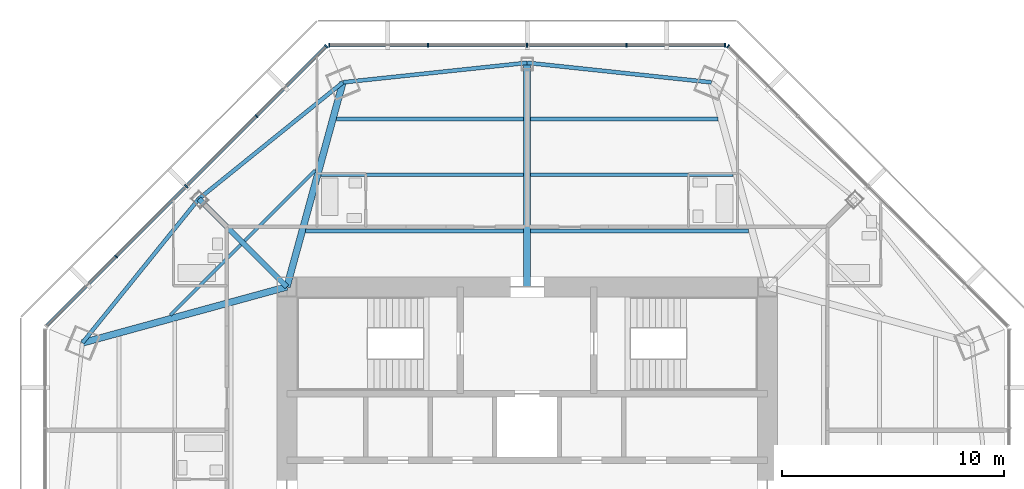
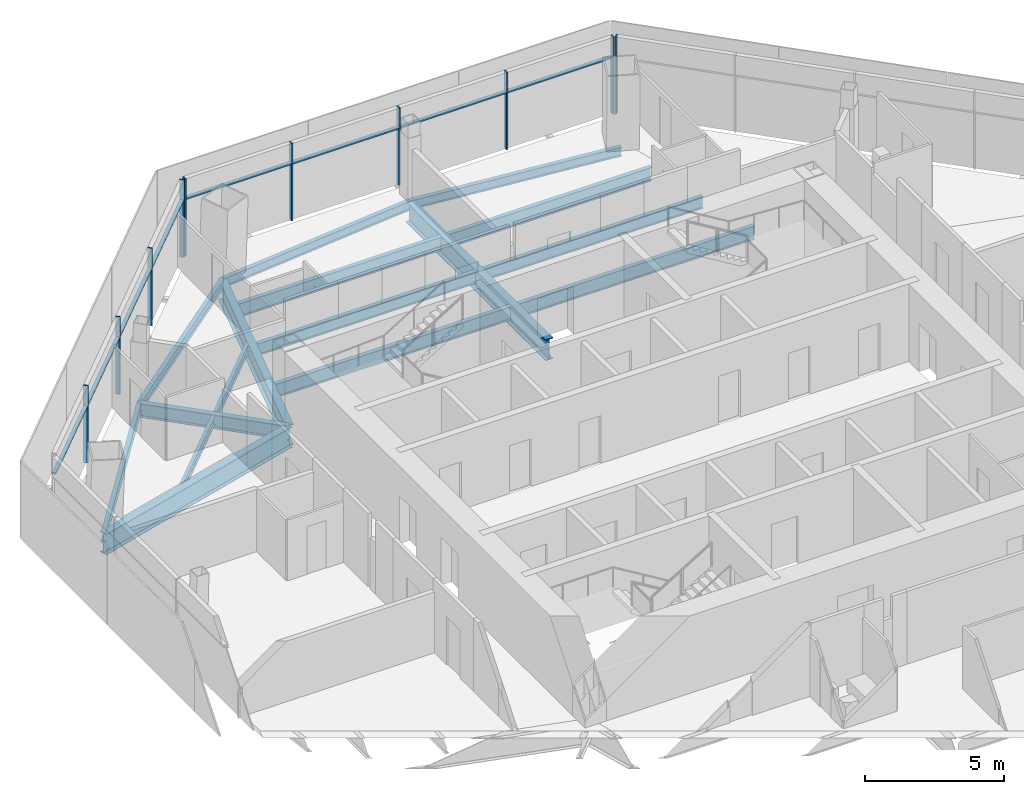
# One storey, part 5 of 15: 18 members, 16 beams, 3 elements without a shape of their own.
"""IFC4 building model written with IfcOpenShell, lengths in metres."""

from ifc_helpers import new_model, si_unit, direction, frame, origin, origin_2d, place, context, subcontext, project, spatial, rectangle, i_section, extrude, source, transform, mapped, material, material_profile, profile_set, type_object, type_shapes, element, aggregate, save


model = new_model("IFC4")

# Units and contexts
model_context = context("Model", 3, precision=1e-05, world=origin(), true_north=direction((0.0, 1.0)))
body_context = subcontext(model_context, "Body", "Model", "MODEL_VIEW")
ifc_project = project(units=[si_unit("LENGTHUNIT", "METRE"), si_unit("AREAUNIT", "SQUARE_METRE"), si_unit("VOLUMEUNIT", "CUBIC_METRE"), si_unit("PLANEANGLEUNIT", "RADIAN"), si_unit("MASSUNIT", "GRAM", prefix="KILO")], contexts=[model_context])

# Site, building, storey
site_placement = place(None, origin())
site = spatial("IfcSite", under=ifc_project, at=site_placement, CompositionType="ELEMENT")
building_placement = place(site_placement, origin())
building = spatial("IfcBuilding", under=site, at=building_placement, Name="Mashrafa Tower", CompositionType="ELEMENT")
storey_placement = place(building_placement, frame((0.0, 0.0, 224.39990234375)))
storey = spatial("IfcBuildingStorey", under=building, at=storey_placement, Name="L52", CompositionType="ELEMENT", Elevation=224.39990234375)

# Beams
ifc_material_1 = material(Name="Steel ASTM A992", Category="steel")
ifc_material_profile_1 = material_profile(ifc_material_1, i_section(OverallWidth=0.140380859375, OverallDepth=0.40380859375, WebThickness=0.007080078125, FlangeThickness=0.01123046875, FilletRadius=0.01025390625, at=origin_2d()), Name="W16X31")
ifc_profile_set_1 = profile_set([ifc_material_profile_1], Name="Steel ASTM A992")
beam_type_1 = type_object("IfcBeamType", Name="Beam W16X31", PredefinedType="BEAM", material=ifc_profile_set_1)
for number, where, z_axis, x_axis, name in (
    (1, (-16.03466796875, 9.5244140625, -0.40185546875), (0.707106781187, 0.707106781187, 0.0), (-0.707106781187, 0.707106781187, 0.0), "Floor beam L52 003"),
    (2, (-12.698486328125, 12.860595703125, -0.40185546875), (0.707106781187, 0.707106781187, 0.0), (-0.707106781187, 0.707106781187, 0.0), "Floor beam L52 009"),
):
    element("IfcBeam", number, at=place(storey_placement, frame(where, z_axis=z_axis, x_axis=x_axis)), inside=storey, type_object=beam_type_1, Name=name, PredefinedType="BEAM", context=body_context, shape_type="SweptSolid", body=[
        extrude(i_section(OverallWidth=0.140380859375, OverallDepth=0.40380859375, WebThickness=0.007080078125, FlangeThickness=0.01123046875, FilletRadius=0.01025390625, at=origin_2d()), origin(), (0.0, 0.0, 1.0), 4.48876953125),
    ])
ifc_material_2 = material(Name="Steel ASTM A992", Category="steel")
ifc_material_profile_2 = material_profile(ifc_material_2, i_section(OverallWidth=0.177734375, OverallDepth=0.406494140625, WebThickness=0.0078125, FlangeThickness=0.012939453125, FilletRadius=0.01025390625, at=origin_2d()), Name="W16X40")
ifc_profile_set_2 = profile_set([ifc_material_profile_2], Name="Steel ASTM A992")
beam_type_2 = type_object("IfcBeamType", Name="Beam W16X40", PredefinedType="BEAM", material=ifc_profile_set_2)
for number, where, z_axis, x_axis, name in (
    (3, (-14.759033203125, 14.759033203125, -0.403076171875), (-0.628601824372, -0.777727295648, 0.0), (0.777727295648, -0.628601824372, 0.0), "Spandrel beam L52 053"),
    (4, (-8.281982421875, 19.994140625, -0.403076171875), (-0.777727295648, -0.628601824372, 0.0), (0.628601824372, -0.777727295648, 0.0), "Spandrel beam L52 055"),
):
    element("IfcBeam", number, at=place(storey_placement, frame(where, z_axis=z_axis, x_axis=x_axis)), inside=storey, type_object=beam_type_2, Name=name, PredefinedType="BEAM", context=body_context, shape_type="SweptSolid", body=[
        extrude(i_section(OverallWidth=0.177734375, OverallDepth=0.406494140625, WebThickness=0.0078125, FlangeThickness=0.012939453125, FilletRadius=0.01025390625, at=origin_2d()), origin(), (0.0, 0.0, 1.0), 8.328125),
    ])
for number, where, z_axis, x_axis, name in (
    (5, (0.0, 20.872314453125, -0.403076171875), (-0.994425332774, -0.105443148365, 0.0), (0.105443148365, -0.994425332774, 0.0), "Spandrel beam L52 057"),
    (6, (8.281982421875, 19.994140625, -0.403076171875), (-0.994425332774, 0.105443148365, 0.0), (-0.105443148365, -0.994425332774, 0.0), "Spandrel beam L52 059"),
):
    element("IfcBeam", number, at=place(storey_placement, frame(where, z_axis=z_axis, x_axis=x_axis)), inside=storey, type_object=beam_type_2, Name=name, PredefinedType="BEAM", context=body_context, shape_type="SweptSolid", body=[
        extrude(i_section(OverallWidth=0.177734375, OverallDepth=0.406494140625, WebThickness=0.0078125, FlangeThickness=0.012939453125, FilletRadius=0.01025390625, at=origin_2d()), origin(), (0.0, 0.0, 1.0), 8.328369140625),
    ])
ifc_material_3 = material(Name="Steel ASTM A992", Category="steel")
ifc_material_profile_3 = material_profile(ifc_material_3, i_section(OverallWidth=0.1650390625, OverallDepth=0.52587890625, WebThickness=0.0087890625, FlangeThickness=0.011474609375, FilletRadius=0.0126953125, at=origin_2d()), Name="W21X44")
ifc_profile_set_3 = profile_set([ifc_material_profile_3], Name="Steel ASTM A992")
beam_type_3 = type_object("IfcBeamType", Name="Beam W21X44", PredefinedType="BEAM", material=ifc_profile_set_3)
for number, where, z_axis, x_axis, name in (
    (7, (-9.2626953125, 15.836181640625, -0.462890625), (1.0, 0.0, 0.0), (0.0, 1.0, 0.0), "Floor beam L52 011"),
    (8, (0.15380859375, 15.836181640625, -0.462890625), (1.0, 0.0, 0.0), (0.0, 1.0, 0.0), "Floor beam L52 018"),
):
    element("IfcBeam", number, at=place(storey_placement, frame(where, z_axis=z_axis, x_axis=x_axis)), inside=storey, type_object=beam_type_3, Name=name, PredefinedType="BEAM", context=body_context, shape_type="SweptSolid", body=[
        extrude(i_section(OverallWidth=0.1650390625, OverallDepth=0.52587890625, WebThickness=0.0087890625, FlangeThickness=0.011474609375, FilletRadius=0.0126953125, at=origin_2d()), origin(), (0.0, 0.0, 1.0), 9.10888671875),
    ])
ifc_material_4 = material(Name="Steel ASTM A992", Category="steel")
ifc_material_profile_4 = material_profile(ifc_material_4, i_section(OverallWidth=0.177978515625, OverallDepth=0.599365234375, WebThickness=0.010009765625, FlangeThickness=0.012939453125, FilletRadius=0.012939453125, at=origin_2d()), Name="W24X55")
ifc_profile_set_4 = profile_set([ifc_material_profile_4], Name="Steel ASTM A992")
beam_type_4 = type_object("IfcBeamType", Name="Beam W24X55", PredefinedType="BEAM", material=ifc_profile_set_4)
beam_1_placement = place(storey_placement, frame((-9.952392578125, 13.318115234375, -0.49951171875), z_axis=(1.0, 0.0, 0.0), x_axis=(0.0, 1.0, 0.0)))
element("IfcBeam", 9, at=beam_1_placement, inside=storey, type_object=beam_type_4, Name="Floor beam L52 010", PredefinedType="BEAM", context=body_context, shape_type="SweptSolid", body=[
    extrude(i_section(OverallWidth=0.177978515625, OverallDepth=0.599365234375, WebThickness=0.010009765625, FlangeThickness=0.012939453125, FilletRadius=0.012939453125, at=origin_2d()), origin(), (0.0, 0.0, 1.0), 9.798583984375),
])
beam_2_placement = place(storey_placement, frame((-8.572998046875, 18.354248046875, -0.49951171875), z_axis=(1.0, 0.0, 0.0), x_axis=(0.0, 1.0, 0.0)))
element("IfcBeam", 10, at=beam_2_placement, inside=storey, type_object=beam_type_4, Name="Floor beam L52 013", PredefinedType="BEAM", context=body_context, shape_type="SweptSolid", body=[
    extrude(i_section(OverallWidth=0.177978515625, OverallDepth=0.599365234375, WebThickness=0.010009765625, FlangeThickness=0.012939453125, FilletRadius=0.012939453125, at=origin_2d()), origin(), (0.0, 0.0, 1.0), 8.419189453125),
])
beam_3_placement = place(storey_placement, frame((0.15380859375, 13.318115234375, -0.49951171875), z_axis=(1.0, 0.0, 0.0), x_axis=(0.0, 1.0, 0.0)))
element("IfcBeam", 11, at=beam_3_placement, inside=storey, type_object=beam_type_4, Name="Floor beam L52 017", PredefinedType="BEAM", context=body_context, shape_type="SweptSolid", body=[
    extrude(i_section(OverallWidth=0.177978515625, OverallDepth=0.599365234375, WebThickness=0.010009765625, FlangeThickness=0.012939453125, FilletRadius=0.012939453125, at=origin_2d()), origin(), (0.0, 0.0, 1.0), 9.798583984375),
])
beam_4_placement = place(storey_placement, frame((0.15380859375, 18.354248046875, -0.49951171875), z_axis=(1.0, 0.0, 0.0), x_axis=(0.0, 1.0, 0.0)))
element("IfcBeam", 12, at=beam_4_placement, inside=storey, type_object=beam_type_4, Name="Floor beam L52 019", PredefinedType="BEAM", context=body_context, shape_type="SweptSolid", body=[
    extrude(i_section(OverallWidth=0.177978515625, OverallDepth=0.599365234375, WebThickness=0.010009765625, FlangeThickness=0.012939453125, FilletRadius=0.012939453125, at=origin_2d()), origin(), (0.0, 0.0, 1.0), 8.419189453125),
])
ifc_material_5 = material(Name="Steel ASTM A992", Category="steel")
ifc_material_profile_5 = material_profile(ifc_material_5, i_section(OverallWidth=0.22900390625, OverallDepth=0.612060546875, WebThickness=0.011962890625, FlangeThickness=0.01953125, FilletRadius=0.0126953125, at=origin_2d()), Name="W24X84")
ifc_profile_set_5 = profile_set([ifc_material_profile_5], Name="Steel ASTM A992")
beam_type_5 = type_object("IfcBeamType", Name="Beam W24X84", PredefinedType="BEAM", material=ifc_profile_set_5)
beam_5_placement = place(storey_placement, frame((-10.800048828125, 10.800048828125, -0.505859375), z_axis=(-0.707106781187, 0.707106781187, 0.0), x_axis=(-0.707106781187, -0.707106781187, 0.0)))
element("IfcBeam", 13, at=beam_5_placement, inside=storey, type_object=beam_type_5, Name="Radial girder L52 038", PredefinedType="BEAM", context=body_context, shape_type="SweptSolid", body=[
    extrude(i_section(OverallWidth=0.22900390625, OverallDepth=0.612060546875, WebThickness=0.011962890625, FlangeThickness=0.01953125, FilletRadius=0.0126953125, at=origin_2d()), origin(), (0.0, 0.0, 1.0), 5.598876953125),
])
ifc_material_6 = material(Name="Steel ASTM A992", Category="steel")
ifc_material_profile_6 = material_profile(ifc_material_6, i_section(OverallWidth=0.3046875, OverallDepth=0.911865234375, WebThickness=0.015869140625, FlangeThickness=0.02392578125, FilletRadius=0.01904296875, at=origin_2d()), Name="W36X150")
ifc_profile_set_6 = profile_set([ifc_material_profile_6], Name="Steel ASTM A992")
beam_type_6 = type_object("IfcBeamType", Name="Beam W36X150", PredefinedType="BEAM", material=ifc_profile_set_6)
for number, where, z_axis, x_axis, name in (
    (14, (-10.800048828125, 10.800048828125, -0.65576171875), (-0.964481350418, -0.264150950588, 0.0), (0.264150950588, -0.964481350418, 0.0), "Radial girder L52 037"),
    (15, (-10.800048828125, 10.800048828125, -0.65576171875), (0.264150950588, 0.964481350418, 0.0), (-0.964481350418, 0.264150950588, 0.0), "Radial girder L52 039"),
):
    element("IfcBeam", number, at=place(storey_placement, frame(where, z_axis=z_axis, x_axis=x_axis)), inside=storey, type_object=beam_type_6, Name=name, PredefinedType="BEAM", context=body_context, shape_type="SweptSolid", body=[
        extrude(i_section(OverallWidth=0.3046875, OverallDepth=0.911865234375, WebThickness=0.015869140625, FlangeThickness=0.02392578125, FilletRadius=0.01904296875, at=origin_2d()), origin(), (0.0, 0.0, 1.0), 9.53271484375),
    ])
ifc_material_7 = material(Name="Steel ASTM A992", Category="steel")
ifc_material_profile_7 = material_profile(ifc_material_7, i_section(OverallWidth=0.307373046875, OverallDepth=0.927001953125, WebThickness=0.01953125, FlangeThickness=0.031982421875, FilletRadius=0.01904296875, at=origin_2d()), Name="W36X194")
ifc_profile_set_7 = profile_set([ifc_material_profile_7], Name="Steel ASTM A992")
beam_type_7 = type_object("IfcBeamType", Name="Beam W36X194", PredefinedType="BEAM", material=ifc_profile_set_7)
beam_6_placement = place(storey_placement, frame((0.0, 10.800048828125, -0.66357421875), z_axis=(0.0, 1.0, 0.0), x_axis=(-1.0, 0.0, 0.0)))
element("IfcBeam", 16, at=beam_6_placement, inside=storey, type_object=beam_type_7, Name="Radial girder L52 041", PredefinedType="BEAM", context=body_context, shape_type="SweptSolid", body=[
    extrude(i_section(OverallWidth=0.307373046875, OverallDepth=0.927001953125, WebThickness=0.01953125, FlangeThickness=0.031982421875, FilletRadius=0.01904296875, at=origin_2d()), origin(), (0.0, 0.0, 1.0), 10.072265625),
])

# Curtain wall, member
ifc_material_8 = material(Name="Unitised aluminium curtain wall", Category="aluminium")
curtain_wall_type = type_object("IfcCurtainWallType", Name="Apartment curtain wall, zone 3 CW-C 180 deep", PredefinedType="NOTDEFINED", material=ifc_material_8)
curtain_wall_1_placement = place(storey_placement, origin())
curtain_wall_1 = element("IfcCurtainWall", 17, at=curtain_wall_1_placement, inside=storey, type_object=curtain_wall_type, Name="Apartment curtain wall, zone 3 L52 north-east", PredefinedType="NOTDEFINED")
ifc_material_9 = material(Name="Extruded aluminium mullion", Category="aluminium")
ifc_material_profile_8 = material_profile(ifc_material_9, rectangle(XDim=0.179931640625, YDim=0.06005859375, at=origin_2d()), Name="Mullion 60x180")
ifc_profile_set_8 = profile_set([ifc_material_profile_8], Name="Extruded aluminium mullion")
member_type_1 = type_object("IfcMemberType", Name="Mullion CW-C 60 x 180", PredefinedType="MULLION", material=ifc_profile_set_8)
shared_shape_1 = source(origin(), body_context, "Body", "SweptSolid", [
    extrude(rectangle(XDim=0.179931640625, YDim=0.06005859375, at=origin_2d()), origin(), (0.0, 0.0, 1.0), 3.400146484375),
])
type_shapes(member_type_1, [shared_shape_1])
member_1_placement = place(storey_placement, frame((9.029296875, 21.612060546875, 0.0), z_axis=(0.0, 0.0, 1.0), x_axis=(-0.707106781187, -0.707106781187, 0.0)))
member_1 = element("IfcMember", 18, at=member_1_placement, type_object=member_type_1, Name="CW-C mullion 5", PredefinedType="MULLION", context=body_context, shape_type="MappedRepresentation", body=[
    mapped(shared_shape_1, transform((0.0, 0.0, 0.0))),
])
aggregate(curtain_wall_1, [member_1])

# Curtain wall, members
curtain_wall_2_placement = place(storey_placement, origin())
curtain_wall_2 = element("IfcCurtainWall", 19, at=curtain_wall_2_placement, inside=storey, type_object=curtain_wall_type, Name="Apartment curtain wall, zone 3 L52 north", PredefinedType="NOTDEFINED")
member_2_placement = place(storey_placement, frame((8.8974609375, 21.666748046875, 0.0), z_axis=(0.0, 0.0, 1.0), x_axis=(0.0, -1.0, 0.0)))
member_2 = element("IfcMember", 20, at=member_2_placement, type_object=member_type_1, Name="CW-C mullion 1", PredefinedType="MULLION", context=body_context, shape_type="MappedRepresentation", body=[
    mapped(shared_shape_1, transform((0.0, 0.0, 0.0))),
])
member_3_placement = place(storey_placement, frame((4.463623046875, 21.666748046875, 0.0), z_axis=(0.0, 0.0, 1.0), x_axis=(0.0, -1.0, 0.0)))
member_3 = element("IfcMember", 21, at=member_3_placement, type_object=member_type_1, Name="CW-C mullion 2", PredefinedType="MULLION", context=body_context, shape_type="MappedRepresentation", body=[
    mapped(shared_shape_1, transform((0.0, 0.0, 0.0))),
])
member_4_placement = place(storey_placement, frame((0.0, 21.666748046875, 0.0), z_axis=(0.0, 0.0, 1.0), x_axis=(0.0, -1.0, 0.0)))
member_4 = element("IfcMember", 22, at=member_4_placement, type_object=member_type_1, Name="CW-C mullion 3", PredefinedType="MULLION", context=body_context, shape_type="MappedRepresentation", body=[
    mapped(shared_shape_1, transform((0.0, 0.0, 0.0))),
])
member_5_placement = place(storey_placement, frame((-4.463623046875, 21.666748046875, 0.0), z_axis=(0.0, 0.0, 1.0), x_axis=(0.0, -1.0, 0.0)))
member_5 = element("IfcMember", 23, at=member_5_placement, type_object=member_type_1, Name="CW-C mullion 4", PredefinedType="MULLION", context=body_context, shape_type="MappedRepresentation", body=[
    mapped(shared_shape_1, transform((0.0, 0.0, 0.0))),
])
member_6_placement = place(storey_placement, frame((-8.8974609375, 21.666748046875, 0.0), z_axis=(0.0, 0.0, 1.0), x_axis=(0.0, -1.0, 0.0)))
member_6 = element("IfcMember", 24, at=member_6_placement, type_object=member_type_1, Name="CW-C mullion 5", PredefinedType="MULLION", context=body_context, shape_type="MappedRepresentation", body=[
    mapped(shared_shape_1, transform((0.0, 0.0, 0.0))),
])

curtain_wall_3_placement = place(storey_placement, origin())
curtain_wall_3 = element("IfcCurtainWall", 25, at=curtain_wall_3_placement, inside=storey, type_object=curtain_wall_type, Name="Apartment curtain wall, zone 3 L52 north-west", PredefinedType="NOTDEFINED")
member_7_placement = place(storey_placement, frame((-9.029296875, 21.612060546875, 0.0), z_axis=(0.0, 0.0, 1.0), x_axis=(0.707106781187, -0.707106781187, 0.0)))
member_7 = element("IfcMember", 26, at=member_7_placement, type_object=member_type_1, Name="CW-C mullion 1", PredefinedType="MULLION", context=body_context, shape_type="MappedRepresentation", body=[
    mapped(shared_shape_1, transform((0.0, 0.0, 0.0))),
])
member_8_placement = place(storey_placement, frame((-12.164306640625, 18.47705078125, 0.0), z_axis=(0.0, 0.0, 1.0), x_axis=(0.707106781187, -0.707106781187, 0.0)))
member_8 = element("IfcMember", 27, at=member_8_placement, type_object=member_type_1, Name="CW-C mullion 2", PredefinedType="MULLION", context=body_context, shape_type="MappedRepresentation", body=[
    mapped(shared_shape_1, transform((0.0, 0.0, 0.0))),
])
member_9_placement = place(storey_placement, frame((-15.32080078125, 15.32080078125, 0.0), z_axis=(0.0, 0.0, 1.0), x_axis=(0.707106781187, -0.707106781187, 0.0)))
member_9 = element("IfcMember", 28, at=member_9_placement, type_object=member_type_1, Name="CW-C mullion 3", PredefinedType="MULLION", context=body_context, shape_type="MappedRepresentation", body=[
    mapped(shared_shape_1, transform((0.0, 0.0, 0.0))),
])
member_10_placement = place(storey_placement, frame((-18.47705078125, 12.164306640625, 0.0), z_axis=(0.0, 0.0, 1.0), x_axis=(0.707106781187, -0.707106781187, 0.0)))
member_10 = element("IfcMember", 29, at=member_10_placement, type_object=member_type_1, Name="CW-C mullion 4", PredefinedType="MULLION", context=body_context, shape_type="MappedRepresentation", body=[
    mapped(shared_shape_1, transform((0.0, 0.0, 0.0))),
])

# Member
ifc_material_10 = material(Name="Extruded aluminium transom", Category="aluminium")
ifc_material_profile_9 = material_profile(ifc_material_10, rectangle(XDim=0.14404296875, YDim=0.074951171875, at=origin_2d()), Name="Transom 75x144")
ifc_profile_set_9 = profile_set([ifc_material_profile_9], Name="Extruded aluminium transom")
member_type_2 = type_object("IfcMemberType", Name="Transom CW-C 75 x 144", PredefinedType="MULLION", material=ifc_profile_set_9)
shared_shape_2 = source(origin(), body_context, "Body", "SweptSolid", [
    extrude(rectangle(XDim=0.14404296875, YDim=0.074951171875, at=origin_2d()), origin(), (0.0, 0.0, 1.0), 4.373779296875),
])
member_11_placement = place(storey_placement, frame((8.867431640625, 21.666748046875, 2.5), z_axis=(-1.0, 0.0, 0.0), x_axis=(0.0, -1.0, 0.0)))
member_11 = element("IfcMember", 30, at=member_11_placement, type_object=member_type_2, Name="CW-C transom 1", PredefinedType="MULLION", context=body_context, shape_type="MappedRepresentation", body=[
    mapped(shared_shape_2, transform((0.0, 0.0, 0.0))),
])

member_12_placement = place(storey_placement, frame((-4.49365234375, 21.666748046875, 2.5), z_axis=(-1.0, 0.0, 0.0), x_axis=(0.0, -1.0, 0.0)))
member_12 = element("IfcMember", 31, at=member_12_placement, type_object=member_type_2, Name="CW-C transom 4", PredefinedType="MULLION", context=body_context, shape_type="MappedRepresentation", body=[
    mapped(shared_shape_2, transform((0.0, 0.0, 0.0))),
])

member_13_placement = place(storey_placement, frame((-9.050537109375, 21.5908203125, 2.5), z_axis=(-0.707134690909, -0.707078870362, 0.0), x_axis=(0.707078870362, -0.707134690909, 0.0)))
member_13 = element("IfcMember", 32, at=member_13_placement, type_object=member_type_2, Name="CW-C transom 1", PredefinedType="MULLION", context=body_context, shape_type="MappedRepresentation", body=[
    mapped(shared_shape_2, transform((0.0, 0.0, 0.0))),
])

member_14_placement = place(storey_placement, frame((-18.498291015625, 12.143310546875, 2.5), z_axis=(-0.707078870362, -0.707134690909, 0.0), x_axis=(0.707134690909, -0.707078870362, 0.0)))
member_14 = element("IfcMember", 33, at=member_14_placement, type_object=member_type_2, Name="CW-C transom 4", PredefinedType="MULLION", context=body_context, shape_type="MappedRepresentation", body=[
    mapped(shared_shape_2, transform((0.0, 0.0, 0.0))),
])

shared_shape_3 = source(origin(), body_context, "Body", "SweptSolid", [
    extrude(rectangle(XDim=0.14404296875, YDim=0.074951171875, at=origin_2d()), origin(), (0.0, 0.0, 1.0), 4.403564453125),
])
member_15_placement = place(storey_placement, frame((4.43359375, 21.666748046875, 2.5), z_axis=(-1.0, 0.0, 0.0), x_axis=(0.0, -1.0, 0.0)))
member_15 = element("IfcMember", 34, at=member_15_placement, type_object=member_type_2, Name="CW-C transom 2", PredefinedType="MULLION", context=body_context, shape_type="MappedRepresentation", body=[
    mapped(shared_shape_3, transform((0.0, 0.0, 0.0))),
])

member_16_placement = place(storey_placement, frame((-0.030029296875, 21.666748046875, 2.5), z_axis=(-1.0, 0.0, 0.0), x_axis=(0.0, -1.0, 0.0)))
member_16 = element("IfcMember", 35, at=member_16_placement, type_object=member_type_2, Name="CW-C transom 3", PredefinedType="MULLION", context=body_context, shape_type="MappedRepresentation", body=[
    mapped(shared_shape_3, transform((0.0, 0.0, 0.0))),
])

aggregate(curtain_wall_2, [member_2, member_3, member_4, member_5, member_6, member_11, member_15, member_16, member_12])

shared_shape_4 = source(origin(), body_context, "Body", "SweptSolid", [
    extrude(rectangle(XDim=0.14404296875, YDim=0.074951171875, at=origin_2d()), origin(), (0.0, 0.0, 1.0), 4.40380859375),
])
type_shapes(member_type_2, [shared_shape_2, shared_shape_3, shared_shape_4])
member_17_placement = place(storey_placement, frame((-12.185546875, 18.455810546875, 2.5), z_axis=(-0.707134500537, -0.707079060749, 0.0), x_axis=(0.707079060749, -0.707134500537, 0.0)))
member_17 = element("IfcMember", 36, at=member_17_placement, type_object=member_type_2, Name="CW-C transom 2", PredefinedType="MULLION", context=body_context, shape_type="MappedRepresentation", body=[
    mapped(shared_shape_4, transform((0.0, 0.0, 0.0))),
])

member_18_placement = place(storey_placement, frame((-15.342041015625, 15.299560546875, 2.5), z_axis=(-0.707079060749, -0.707134500537, 0.0), x_axis=(0.707134500537, -0.707079060749, 0.0)))
member_18 = element("IfcMember", 37, at=member_18_placement, type_object=member_type_2, Name="CW-C transom 3", PredefinedType="MULLION", context=body_context, shape_type="MappedRepresentation", body=[
    mapped(shared_shape_4, transform((0.0, 0.0, 0.0))),
])

aggregate(curtain_wall_3, [member_7, member_8, member_9, member_10, member_13, member_17, member_18, member_14])

save(model, "model.ifc")
